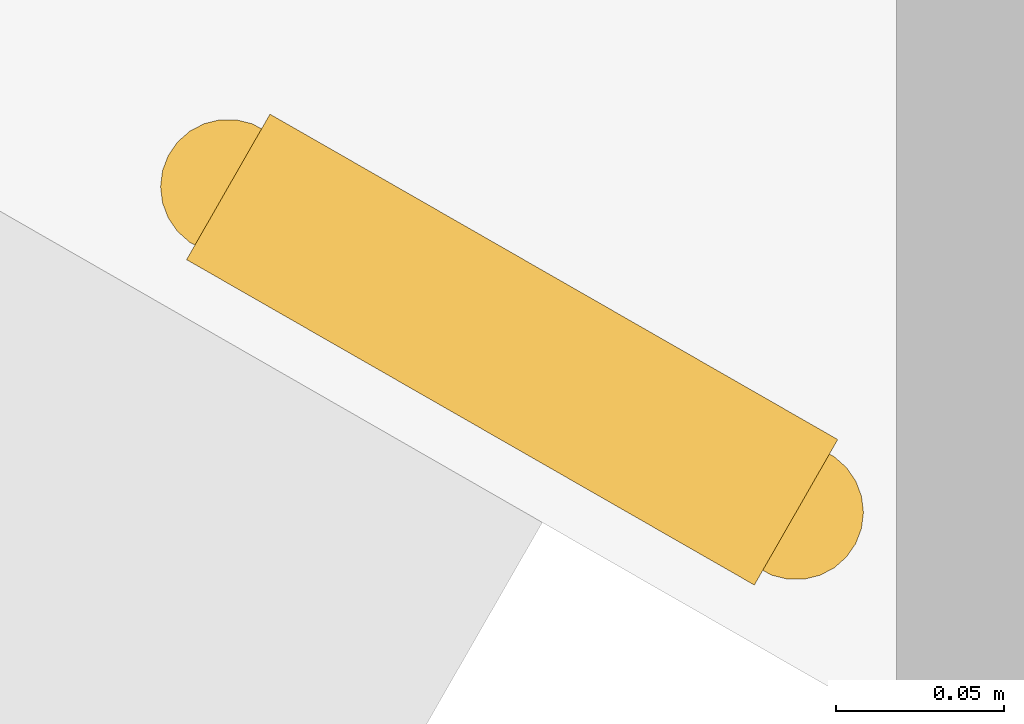
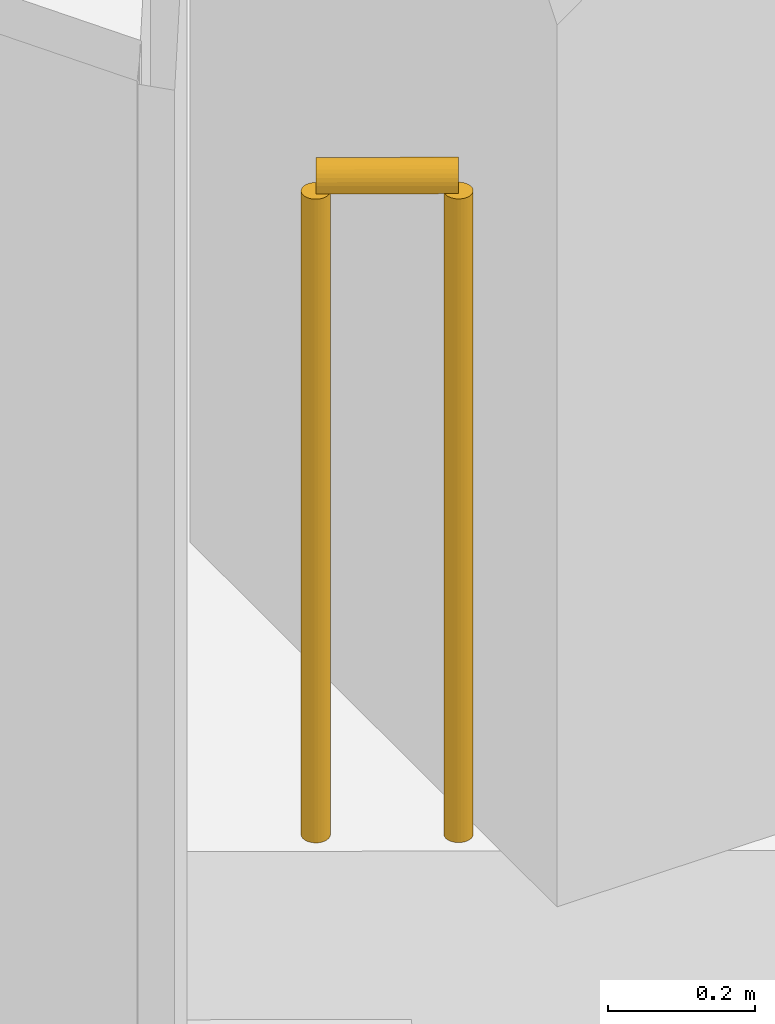
# One storey, part 31 of 34: 1 railing.
"""IFC4 building model written with IfcOpenShell, lengths in metres."""

import ifcopenshell
import ifcopenshell.guid

model = None  # the IFC model being written
_history = None  # IfcOwnerHistory: only IFC2X3 demands one
_inside = {}  # id of a spatial element -> (the spatial element, [elements in it])
_under = {}  # id of a project, library or spatial element -> (it, [spatial elements below it])
_declared = {}  # id of a project -> (the project, [libraries it declares])
_typed = {}  # id of a type object -> (the type object, [elements of that type])
_made_of = {}  # id of a material, layer set ... -> (it, [elements and type objects made of it])


def new_model(schema):
    """Start an empty IFC model of exactly this schema.

    Asked for "IFC4X3", IfcOpenShell would pick the latest addendum, in which some entities
    have other attributes; the version numbers below select the first issue.
    IFC2X3 requires an IfcOwnerHistory on every rooted entity: one is made here for all.
    """
    global model, _history
    if schema == "IFC4X3":
        model = ifcopenshell.file(schema_version=(4, 3, 0, 0))
    else:
        model = ifcopenshell.file(schema=schema)
    _inside.clear()
    _under.clear()
    _declared.clear()
    _typed.clear()
    _made_of.clear()
    _history = None
    if model.schema == "IFC2X3":
        org = make("IfcOrganization", Name="unknown")
        user = make(
            "IfcPersonAndOrganization",
            ThePerson=make("IfcPerson", FamilyName="unknown"),
            TheOrganization=org,
        )
        app = make(
            "IfcApplication",
            ApplicationDeveloper=org,
            Version="unknown",
            ApplicationFullName="unknown",
            ApplicationIdentifier="unknown",
        )
        _history = make(
            "IfcOwnerHistory",
            OwningUser=user,
            OwningApplication=app,
            ChangeAction="ADDED",
            CreationDate=0,
        )
    return model


def make(cls, **values):
    """One entity of the class cls with the attributes given. An attribute that is None is left unset."""
    return model.create_entity(
        cls, **{name: value for name, value in values.items() if value is not None}
    )


def rooted(cls, **values):
    """An entity with a GlobalId (a new one), such as an element, a storey or a relation."""
    return make(cls, GlobalId=ifcopenshell.guid.new(), OwnerHistory=_history, **values)


def si_unit(unit_type, name, prefix=None):
    """IfcSIUnit, for example si_unit("LENGTHUNIT", "METRE", prefix="MILLI")."""
    return make("IfcSIUnit", UnitType=unit_type, Prefix=prefix, Name=name)


def assignment(units):
    """IfcUnitAssignment: the units of a project."""
    return None if units is None else make("IfcUnitAssignment", Units=units)


def point(xyz):
    """IfcCartesianPoint."""
    return None if xyz is None else make("IfcCartesianPoint", Coordinates=xyz)


def direction(xyz):
    """IfcDirection."""
    return None if xyz is None else make("IfcDirection", DirectionRatios=xyz)


def frame(location, z_axis=None, x_axis=None):
    """IfcAxis2Placement3D, a coordinate frame: its origin and axes. An axis left out is left unset."""
    return make(
        "IfcAxis2Placement3D",
        Location=point(location),
        Axis=direction(z_axis),
        RefDirection=direction(x_axis),
    )


def frame_2d(location, x_axis=None):
    """IfcAxis2Placement2D, a coordinate frame in the plane: its origin and x axis."""
    return make(
        "IfcAxis2Placement2D", Location=point(location), RefDirection=direction(x_axis)
    )


def origin():
    """The frame at (0, 0, 0) with its axes left unset."""
    return frame((0.0, 0.0, 0.0))


def origin_2d():
    """The frame at (0, 0) in the plane with its x axis left unset."""
    return frame_2d((0.0, 0.0))


def place(relative_to, where):
    """IfcLocalPlacement: puts the frame where relative to a parent placement (None: the world)."""
    return make(
        "IfcLocalPlacement", PlacementRelTo=relative_to, RelativePlacement=where
    )


def context(
    kind, dimensions, precision=None, world=None, true_north=None, identifier=None
):
    """IfcGeometricRepresentationContext, for example the 3D "Model" context."""
    return make(
        "IfcGeometricRepresentationContext",
        ContextIdentifier=identifier,
        ContextType=kind,
        CoordinateSpaceDimension=dimensions,
        Precision=precision,
        WorldCoordinateSystem=world,
        TrueNorth=true_north,
    )


def subcontext(parent, identifier, kind, view, scale=None):
    """IfcGeometricRepresentationSubContext, for example "Body" below "Model"."""
    return make(
        "IfcGeometricRepresentationSubContext",
        ContextIdentifier=identifier,
        ContextType=kind,
        ParentContext=parent,
        TargetScale=scale,
        TargetView=view,
    )


def project(units=None, contexts=None):
    """IfcProject with its units and contexts."""
    return rooted(
        "IfcProject",
        Name="project",
        RepresentationContexts=contexts,
        UnitsInContext=assignment(units),
    )


def spatial(cls, under=None, at=None, **own):
    """A site, building, storey or space (cls), placed at a placement, below another one or the project."""
    s = rooted(cls, ObjectPlacement=at, **own)
    if under is not None:
        _under.setdefault(under.id(), (under, []))[1].append(s)
    return s


def profile(cls, at=None, kind="AREA", **sizes):
    """A parametric profile (cls). Its sizes go by their IFC names, for example OverallWidth=200.0."""
    return make(cls, ProfileType=kind, Position=at, **sizes)


def circle(**sizes):
    """IfcCircleProfileDef."""
    return profile("IfcCircleProfileDef", **sizes)


def extrude(swept, where, along, depth):
    """IfcExtrudedAreaSolid: the profile swept, set in the frame where, extruded along a direction by depth."""
    return make(
        "IfcExtrudedAreaSolid",
        SweptArea=swept,
        Position=where,
        ExtrudedDirection=direction(along),
        Depth=depth,
    )


def shape(context_of_items, identifier, shape_type, items):
    """IfcShapeRepresentation: the items that make up one representation, for example the "Body"."""
    return make(
        "IfcShapeRepresentation",
        ContextOfItems=context_of_items,
        RepresentationIdentifier=identifier,
        RepresentationType=shape_type,
        Items=items,
    )


def material(Name=None, Category=None):
    """IfcMaterial."""
    return make("IfcMaterial", Name=Name, Category=Category)


def made_of(thing, what):
    """Note that an element or type object is made of a material, layer set ...; save() writes the relation."""
    if what is not None:
        _made_of.setdefault(what.id(), (what, []))[1].append(thing)
    return thing


def type_object(cls, material=None, **own):
    """A type object (cls), such as IfcWallType, which elements share."""
    return made_of(rooted(cls, **own), material)


def element(
    cls,
    number,
    at=None,
    inside=None,
    cuts=None,
    type_object=None,
    material=None,
    context=None,
    identifier="Body",
    shape_type=None,
    held_by="IfcProductDefinitionShape",
    body=None,
    shapes=None,
    **own,
):
    """One element of the class cls, such as IfcWall. Its Tag is "e" and its number.

    at: its placement. inside: the storey or other place that contains it. cuts: it is an
    opening in that element (IfcRelVoidsElement). A single representation is given by context,
    identifier, shape_type and body (its items); several are given by shapes. held_by: the class
    of the entity that holds the representations. save() writes the other relations.
    """
    e = rooted(cls, Tag="e%d" % number, ObjectPlacement=at, **own)
    if body is not None:
        shapes = [shape(context, identifier, shape_type, body)]
    if shapes is not None:
        e.Representation = make(held_by, Representations=shapes)
    if inside is not None:
        _inside.setdefault(inside.id(), (inside, []))[1].append(e)
    if cuts is not None:
        rooted(
            "IfcRelVoidsElement", RelatingBuildingElement=cuts, RelatedOpeningElement=e
        )
    if type_object is not None:
        _typed.setdefault(type_object.id(), (type_object, []))[1].append(e)
    return made_of(e, material)


def aggregate(whole, parts):
    """IfcRelAggregates: a whole, such as a stair, and the parts it consists of."""
    return rooted("IfcRelAggregates", RelatingObject=whole, RelatedObjects=parts)


def save(model, path):
    """Write the relations noted so far, then the file.

    IfcRelAggregates (storeys below a building ...), IfcRelContainedInSpatialStructure (elements
    in a storey), IfcRelDefinesByType, IfcRelAssociatesMaterial and IfcRelDeclares: one each for
    every whole, place, type object, material and project.
    """
    for whole, parts in _under.values():
        aggregate(whole, parts)
    for where, things in _inside.values():
        rooted(
            "IfcRelContainedInSpatialStructure",
            RelatedElements=things,
            RelatingStructure=where,
        )
    for kind, things in _typed.values():
        rooted("IfcRelDefinesByType", RelatedObjects=things, RelatingType=kind)
    for what, things in _made_of.values():
        rooted("IfcRelAssociatesMaterial", RelatedObjects=things, RelatingMaterial=what)
    for by, libraries in _declared.values():
        rooted("IfcRelDeclares", RelatingContext=by, RelatedDefinitions=libraries)
    model.write(path)


model = new_model("IFC4")

# Units and contexts
model_context = context("Model", 3, precision=1e-05, world=origin(), true_north=direction((0.0, 1.0)))
body_context = subcontext(model_context, "Body", "Model", "MODEL_VIEW")
ifc_project = project(units=[si_unit("LENGTHUNIT", "METRE"), si_unit("AREAUNIT", "SQUARE_METRE"), si_unit("VOLUMEUNIT", "CUBIC_METRE"), si_unit("PLANEANGLEUNIT", "RADIAN"), si_unit("MASSUNIT", "GRAM", prefix="KILO")], contexts=[model_context])

# Site, building, storey
site_placement = place(None, origin())
site = spatial("IfcSite", under=ifc_project, at=site_placement, CompositionType="ELEMENT")
building_placement = place(site_placement, origin())
building = spatial("IfcBuilding", under=site, at=building_placement, Name="Orlundy Tower", CompositionType="ELEMENT")
storey_placement = place(building_placement, frame((0.0, 0.0, 112.699951171875)))
storey = spatial("IfcBuildingStorey", under=building, at=storey_placement, Name="L28", CompositionType="ELEMENT", Elevation=112.699951171875)

# Railing
ifc_material = material(Name="Stainless steel bronze finish", Category="steel")
railing_type = type_object("IfcRailingType", Name="TG1 terrace guard", PredefinedType="GUARDRAIL", material=ifc_material)
railing_placement = place(storey_placement, frame((-38.345947265625, -46.552490234375, 0.0)))
element("IfcRailing", 1, at=railing_placement, inside=storey, type_object=railing_type, Name="Guard TG-L28-E01", PredefinedType="GUARDRAIL", context=body_context, shape_type="SweptSolid", body=[
    extrude(circle(Radius=0.02490234375, at=origin_2d()), frame((0.0, 0.0, 1.09521484375), z_axis=(-0.867624323336, 0.497220306861, 0.0), x_axis=(-0.497220306861, -0.867624323336, 0.0)), (0.0, 0.0, 1.0), 0.1943359375),
    extrude(circle(Radius=0.02001953125, at=origin_2d()), origin(), (0.0, 0.0, 1.0), 1.070068359375),
    extrude(circle(Radius=0.02001953125, at=origin_2d()), frame((-0.168701171875, 0.0966796875, 0.0)), (0.0, 0.0, 1.0), 1.070068359375),
])

save(model, "model.ifc")
